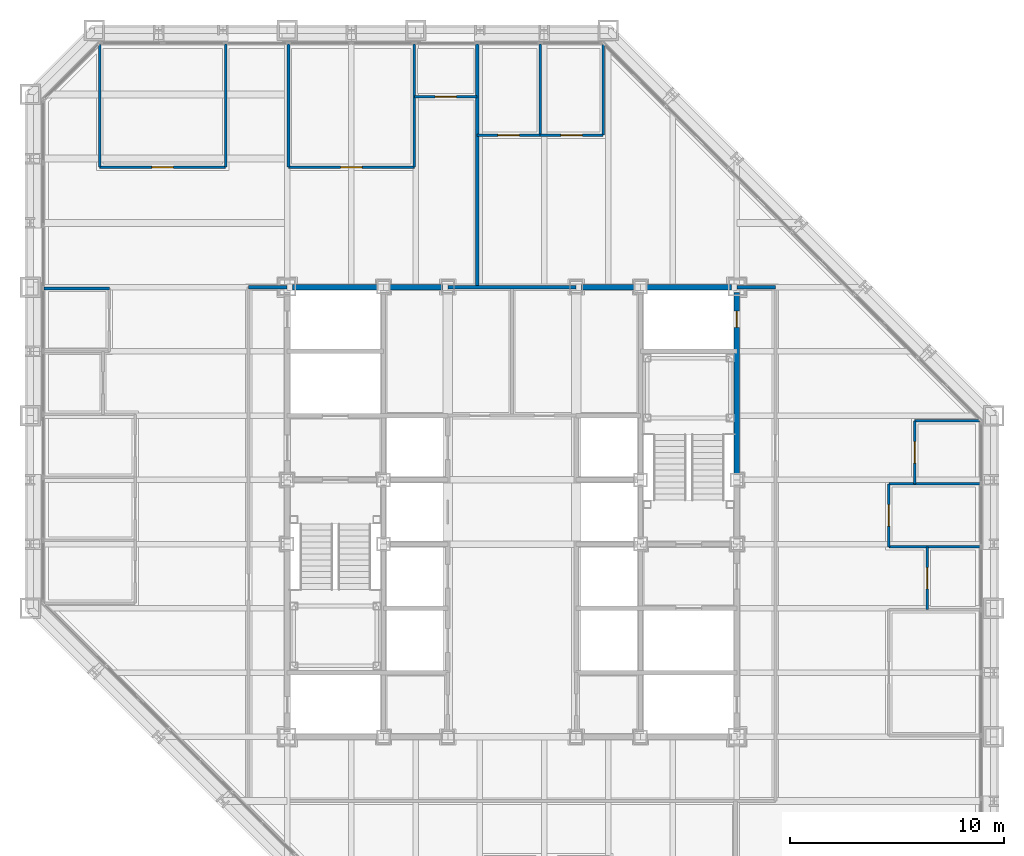
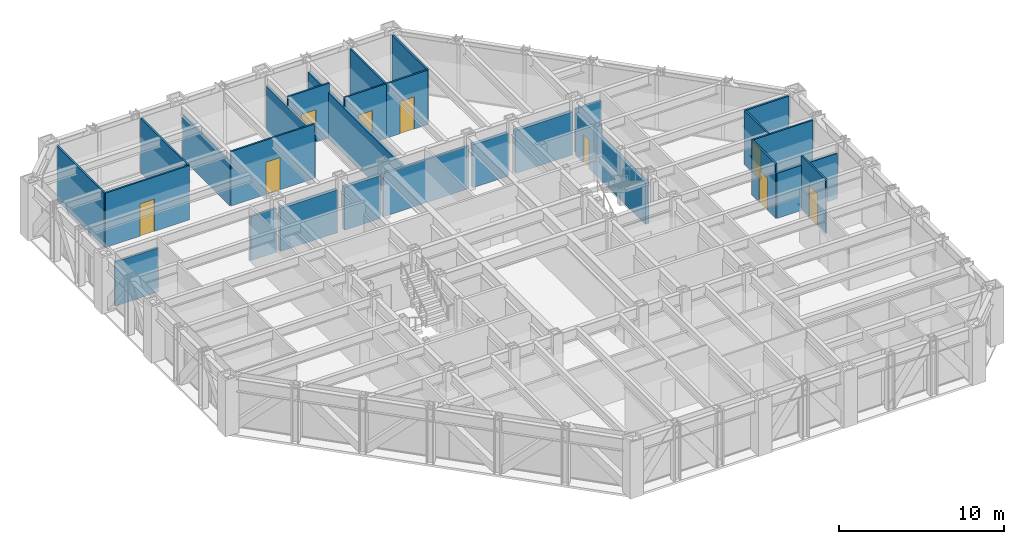
# One storey, part 12 of 16: 27 walls, 9 doors, 9 openings.
"""IFC4 building model written with IfcOpenShell, lengths in metres."""

from ifc_helpers import new_model, si_unit, direction, frame, frame_2d, origin, place, context, subcontext, project, spatial, rectangle, extrude, material, layer, layer_set, type_object, element, fill, save


model = new_model("IFC4")

# Units and contexts
model_context = context("Model", 3, precision=1e-05, world=origin(), true_north=direction((0.0, 1.0)))
body_context = subcontext(model_context, "Body", "Model", "MODEL_VIEW")
ifc_project = project(units=[si_unit("LENGTHUNIT", "METRE"), si_unit("AREAUNIT", "SQUARE_METRE"), si_unit("VOLUMEUNIT", "CUBIC_METRE"), si_unit("PLANEANGLEUNIT", "RADIAN"), si_unit("MASSUNIT", "GRAM", prefix="KILO")], contexts=[model_context])

# Site, building, storey
site_placement = place(None, origin())
site = spatial("IfcSite", under=ifc_project, at=site_placement, CompositionType="ELEMENT")
building_placement = place(site_placement, origin())
building = spatial("IfcBuilding", under=site, at=building_placement, Name="Chuquiago Exchange Tower", CompositionType="ELEMENT")
storey_placement = place(building_placement, frame((0.0, 0.0, 161.39990234375)))
storey = spatial("IfcBuildingStorey", under=building, at=storey_placement, Name="L35", CompositionType="ELEMENT", Elevation=161.39990234375)

# Walls
ifc_material_1 = material(Name="Concrete masonry, fully grouted", Category="masonry")
ifc_layer_1 = layer(ifc_material_1, 0.25)
ifc_layer_set_1 = layer_set([ifc_layer_1], Name="W1 core wall 250")
wall_type_1 = type_object("IfcWallType", Name="W1 core wall 250", PredefinedType="SOLIDWALL", material=ifc_layer_set_1)
wall_1_placement = place(storey_placement, frame((12.25, 33.0, 0.0), z_axis=(0.0, 0.0, 1.0), x_axis=(1.0, 0.0, 0.0)))
element("IfcWall", 1, at=wall_1_placement, inside=storey, type_object=wall_type_1, Name="CW-L35-11-0", PredefinedType="SOLIDWALL", context=body_context, shape_type="SweptSolid", body=[
    extrude(rectangle(XDim=4.0, YDim=0.25, at=frame_2d((2.0, 0.0))), origin(), (0.0, 0.0, 1.0), 3.181640625),
])
for number, where, z_axis, x_axis, name in (
    (2, (16.75, 33.0, 0.0), (0.0, 0.0, 1.0), (1.0, 0.0, 0.0), "CW-L35-11-1"),
    (3, (25.75, 33.0, 0.0), (0.0, 0.0, 1.0), (1.0, 0.0, 0.0), "CW-L35-12-0"),
):
    element("IfcWall", number, at=place(storey_placement, frame(where, z_axis=z_axis, x_axis=x_axis)), inside=storey, type_object=wall_type_1, Name=name, PredefinedType="SOLIDWALL", context=body_context, shape_type="SweptSolid", body=[
        extrude(rectangle(XDim=2.5, YDim=0.25, at=frame_2d((1.25, 0.0))), origin(), (0.0, 0.0, 1.0), 3.181640625),
    ])
wall_2_placement = place(storey_placement, frame((28.75, 33.0, 0.0), z_axis=(0.0, 0.0, 1.0), x_axis=(1.0, 0.0, 0.0)))
element("IfcWall", 4, at=wall_2_placement, inside=storey, type_object=wall_type_1, Name="CW-L35-12-1", PredefinedType="SOLIDWALL", context=body_context, shape_type="SweptSolid", body=[
    extrude(rectangle(XDim=4.0, YDim=0.25, at=frame_2d((2.0, 0.0))), origin(), (0.0, 0.0, 1.0), 3.181640625),
])

# Wall, opening, door
wall_3_placement = place(storey_placement, frame((33.0, 24.25, 0.0), z_axis=(0.0, 0.0, 1.0), x_axis=(0.0, 1.0, 0.0)))
wall_3 = element("IfcWall", 5, at=wall_3_placement, inside=storey, type_object=wall_type_1, Name="CW-L35-25-2", PredefinedType="SOLIDWALL", context=body_context, shape_type="SweptSolid", body=[
    extrude(rectangle(XDim=8.5, YDim=0.25, at=frame_2d((4.25, 0.0))), origin(), (0.0, 0.0, 1.0), 3.113037109375),
])
opening_1_placement = place(wall_3_placement, frame((6.875, 0.0, 0.0)))
opening_1 = element("IfcOpeningElement", 6, at=opening_1_placement, cuts=wall_3, Name="Opening L35-010", PredefinedType="OPENING", context=body_context, shape_type="SweptSolid", body=[
    extrude(rectangle(XDim=0.75, YDim=2.10009765625, at=frame_2d((0.375, 1.050048828125))), frame((0.0, 0.135009765625, 0.0), z_axis=(0.0, -1.0, 0.0), x_axis=(1.0, 0.0, 0.0)), (0.0, 0.0, 1.0), 0.27001953125),
])
ifc_material_2 = material(Name="Steel door, painted", Category="steel")
door_type_1 = type_object("IfcDoorType", Name="D6 riser access door 750x2100", OperationType="SINGLE_SWING_LEFT", PredefinedType="DOOR", material=ifc_material_2)
door_1_placement = place(opening_1_placement, origin())
door_1 = element("IfcDoor", 7, at=door_1_placement, inside=storey, type_object=door_type_1, Name="Riser RE2 door", OperationType="SINGLE_SWING_RIGHT", OverallHeight=2.10009765625, OverallWidth=0.75, PredefinedType="DOOR", context=body_context, shape_type="SweptSolid", body=[
    extrude(rectangle(XDim=0.75, YDim=2.10009765625, at=frame_2d((0.375, 1.050048828125))), frame((0.0, 0.02490234375, 0.0), z_axis=(0.0, -1.0, 0.0), x_axis=(1.0, 0.0, 0.0)), (0.0, 0.0, 1.0), 0.050048828125),
])
fill(opening_1, door_1)

# Walls
ifc_material_3 = material(Name="Gypsum board on steel studs, acoustic insulation", Category="steel")
ifc_layer_2 = layer(ifc_material_3, 0.14990234375)
ifc_layer_set_2 = layer_set([ifc_layer_2], Name="W11 corridor wall 150")
wall_type_2 = type_object("IfcWallType", Name="W11 corridor wall 150", PredefinedType="PARTITIONING", material=ifc_layer_set_2)
for number, where, z_axis, x_axis, name in (
    (8, (10.199951171875, 33.0, 0.0), (0.0, 0.0, 1.0), (1.0, 0.0, 0.0), "PW-L35-CWN"),
    (9, (33.0, 33.0, 0.0), (0.0, 0.0, 1.0), (1.0, 0.0, 0.0), "PW-L35-CEN"),
):
    element("IfcWall", number, at=place(storey_placement, frame(where, z_axis=z_axis, x_axis=x_axis)), inside=storey, type_object=wall_type_2, Name=name, PredefinedType="PARTITIONING", context=body_context, shape_type="SweptSolid", body=[
        extrude(rectangle(XDim=1.800048828125, YDim=0.14990234375, at=frame_2d((0.89990234375, 0.0))), origin(), (0.0, 0.0, 1.0), 3.2705078125),
    ])
ifc_material_4 = material(Name="Gypsum board on twin steel studs, acoustic insulation", Category="steel")
ifc_layer_3 = layer(ifc_material_4, 0.175048828125)
ifc_layer_set_3 = layer_set([ifc_layer_3], Name="W12 tenant demising wall 175")
wall_type_3 = type_object("IfcWallType", Name="W12 tenant demising wall 175", PredefinedType="PARTITIONING", material=ifc_layer_set_3)
wall_4_placement = place(storey_placement, frame((20.875732421875, 44.347412109375, 0.0), z_axis=(0.0, 0.0, 1.0), x_axis=(0.0, -1.0, 0.0)))
element("IfcWall", 10, at=wall_4_placement, inside=storey, type_object=wall_type_3, Name="PW-L35-DN02088", PredefinedType="PARTITIONING", context=body_context, shape_type="SweptSolid", body=[
    extrude(rectangle(XDim=11.347412109375, YDim=0.175048828125, at=frame_2d((5.673828125, 0.0))), origin(), (0.0, 0.0, 1.0), 3.35693359375),
])
ifc_material_5 = material(Name="Gypsum board on steel studs", Category="steel")
ifc_layer_4 = layer(ifc_material_5, 0.14990234375)
ifc_layer_set_4 = layer_set([ifc_layer_4], Name="W3 core partition 150")
wall_type_4 = type_object("IfcWallType", Name="W3 core partition 150", PredefinedType="PARTITIONING", material=ifc_layer_set_4)
wall_5_placement = place(storey_placement, frame((19.5, 33.0, 0.0), z_axis=(0.0, 0.0, 1.0), x_axis=(1.0, 0.0, 0.0)))
element("IfcWall", 11, at=wall_5_placement, inside=storey, type_object=wall_type_4, Name="CW-L35-TB", PredefinedType="PARTITIONING", context=body_context, shape_type="SweptSolid", body=[
    extrude(rectangle(XDim=6.0, YDim=0.14990234375, at=frame_2d((3.0, 0.0))), origin(), (0.0, 0.0, 1.0), 3.181640625),
])
ifc_material_6 = material(Name="Gypsum board on steel studs", Category="steel")
ifc_layer_5 = layer(ifc_material_6, 0.1201171875)
ifc_layer_set_5 = layer_set([ifc_layer_5], Name="W4 partition 120")
wall_type_5 = type_object("IfcWallType", Name="W4 partition 120", PredefinedType="PARTITIONING", material=ifc_layer_set_5)
wall_6_placement = place(storey_placement, frame((44.347412109375, 20.875732421875, 0.0), z_axis=(0.0, 0.0, 1.0), x_axis=(-1.0, 0.0, 0.0)))
element("IfcWall", 12, at=wall_6_placement, inside=storey, type_object=wall_type_5, Name="PW-L35-E02088", PredefinedType="PARTITIONING", context=body_context, shape_type="SweptSolid", body=[
    extrude(rectangle(XDim=4.247314453125, YDim=0.1201171875, at=frame_2d((2.12353515625, 0.0))), origin(), (0.0, 0.0, 1.0), 3.35693359375),
])
wall_7_placement = place(storey_placement, frame((44.347412109375, 23.813720703125, 0.0), z_axis=(0.0, 0.0, 1.0), x_axis=(-1.0, 0.0, 0.0)))
element("IfcWall", 13, at=wall_7_placement, inside=storey, type_object=wall_type_5, Name="PW-L35-E02381", PredefinedType="PARTITIONING", context=body_context, shape_type="SweptSolid", body=[
    extrude(rectangle(XDim=4.247314453125, YDim=0.1201171875, at=frame_2d((2.12353515625, 0.0))), origin(), (0.0, 0.0, 1.0), 4.0400390625),
])
wall_8_placement = place(storey_placement, frame((44.333984375, 26.75146484375, 0.0), z_axis=(0.0, 0.0, 1.0), x_axis=(-1.0, 0.0, 0.0)))
element("IfcWall", 14, at=wall_8_placement, inside=storey, type_object=wall_type_5, Name="PW-L35-E02675", PredefinedType="PARTITIONING", context=body_context, shape_type="SweptSolid", body=[
    extrude(rectangle(XDim=3.033935546875, YDim=0.1201171875, at=frame_2d((1.51708984375, 0.0))), origin(), (0.0, 0.0, 1.0), 4.0400390625),
])

# Wall, opening, door
wall_9_placement = place(storey_placement, frame((41.89990234375, 17.93798828125, 0.0), z_axis=(0.0, 0.0, 1.0), x_axis=(0.0, 1.0, 0.0)))
wall_9 = element("IfcWall", 15, at=wall_9_placement, inside=storey, type_object=wall_type_5, Name="PW-L35-EF01794", PredefinedType="PARTITIONING", context=body_context, shape_type="SweptSolid", body=[
    extrude(rectangle(XDim=2.937744140625, YDim=0.1201171875, at=frame_2d((1.46875, 0.0))), origin(), (0.0, 0.0, 1.0), 4.0400390625),
])
opening_2_placement = place(wall_9_placement, frame((0.968994140625, 0.0, 0.0)))
opening_2 = element("IfcOpeningElement", 16, at=opening_2_placement, cuts=wall_9, Name="Opening L35-027", PredefinedType="OPENING", context=body_context, shape_type="SweptSolid", body=[
    extrude(rectangle(XDim=1.0, YDim=2.39990234375, at=frame_2d((0.5, 1.199951171875))), frame((0.0, 0.070068359375, 0.0), z_axis=(0.0, -1.0, 0.0), x_axis=(1.0, 0.0, 0.0)), (0.0, 0.0, 1.0), 0.14013671875),
])
ifc_material_7 = material(Name="Timber frame door, full height glazed panel", Category="wood")
door_type_2 = type_object("IfcDoorType", Name="D14 glazed meeting room door 1000x2400", OperationType="SINGLE_SWING_LEFT", PredefinedType="DOOR", material=ifc_material_7)
door_2_placement = place(opening_2_placement, frame((1.0, 0.0, 0.0), z_axis=(0.0, 0.0, 1.0), x_axis=(-1.0, 0.0, 0.0)))
door_2 = element("IfcDoor", 17, at=door_2_placement, inside=storey, type_object=door_type_2, Name="Focus room door", OperationType="SINGLE_SWING_LEFT", OverallHeight=2.39990234375, OverallWidth=1.0, PredefinedType="DOOR", context=body_context, shape_type="SweptSolid", body=[
    extrude(rectangle(XDim=1.0, YDim=2.39990234375, at=frame_2d((0.5, 1.199951171875))), frame((0.0, 0.02490234375, 0.0), z_axis=(0.0, -1.0, 0.0), x_axis=(1.0, 0.0, 0.0)), (0.0, 0.0, 1.0), 0.050048828125),
])
fill(opening_2, door_2)

wall_10_placement = place(storey_placement, frame((40.10009765625, 20.875732421875, 0.0), z_axis=(0.0, 0.0, 1.0), x_axis=(0.0, 1.0, 0.0)))
wall_10 = element("IfcWall", 18, at=wall_10_placement, inside=storey, type_object=wall_type_5, Name="PW-L35-EF02088", PredefinedType="PARTITIONING", context=body_context, shape_type="SweptSolid", body=[
    extrude(rectangle(XDim=2.93798828125, YDim=0.1201171875, at=frame_2d((1.468994140625, 0.0))), origin(), (0.0, 0.0, 1.0), 4.0400390625),
])
opening_3_placement = place(wall_10_placement, frame((0.968994140625, 0.0, 0.0)))
opening_3 = element("IfcOpeningElement", 19, at=opening_3_placement, cuts=wall_10, Name="Opening L35-028", PredefinedType="OPENING", context=body_context, shape_type="SweptSolid", body=[
    extrude(rectangle(XDim=1.0, YDim=2.39990234375, at=frame_2d((0.5, 1.199951171875))), frame((0.0, 0.070068359375, 0.0), z_axis=(0.0, -1.0, 0.0), x_axis=(1.0, 0.0, 0.0)), (0.0, 0.0, 1.0), 0.14013671875),
])
ifc_material_8 = material(Name="Timber door, laminate faced", Category="wood")
door_type_3 = type_object("IfcDoorType", Name="D9 room door 1000x2400", OperationType="SINGLE_SWING_LEFT", PredefinedType="DOOR", material=ifc_material_8)
door_3_placement = place(opening_3_placement, frame((1.0, 0.0, 0.0), z_axis=(0.0, 0.0, 1.0), x_axis=(-1.0, 0.0, 0.0)))
door_3 = element("IfcDoor", 20, at=door_3_placement, inside=storey, type_object=door_type_3, Name="Office door", OperationType="SINGLE_SWING_LEFT", OverallHeight=2.39990234375, OverallWidth=1.0, PredefinedType="DOOR", context=body_context, shape_type="SweptSolid", body=[
    extrude(rectangle(XDim=1.0, YDim=2.39990234375, at=frame_2d((0.5, 1.199951171875))), frame((0.0, 0.02490234375, 0.0), z_axis=(0.0, -1.0, 0.0), x_axis=(1.0, 0.0, 0.0)), (0.0, 0.0, 1.0), 0.050048828125),
])
fill(opening_3, door_3)

wall_11_placement = place(storey_placement, frame((41.300048828125, 23.813720703125, 0.0), z_axis=(0.0, 0.0, 1.0), x_axis=(0.0, 1.0, 0.0)))
wall_11 = element("IfcWall", 21, at=wall_11_placement, inside=storey, type_object=wall_type_5, Name="PW-L35-EF02381", PredefinedType="PARTITIONING", context=body_context, shape_type="SweptSolid", body=[
    extrude(rectangle(XDim=2.937744140625, YDim=0.1201171875, at=frame_2d((1.46875, 0.0))), origin(), (0.0, 0.0, 1.0), 4.0400390625),
])
opening_4_placement = place(wall_11_placement, frame((0.968994140625, 0.0, 0.0)))
opening_4 = element("IfcOpeningElement", 22, at=opening_4_placement, cuts=wall_11, Name="Opening L35-029", PredefinedType="OPENING", context=body_context, shape_type="SweptSolid", body=[
    extrude(rectangle(XDim=1.0, YDim=2.39990234375, at=frame_2d((0.5, 1.199951171875))), frame((0.0, 0.070068359375, 0.0), z_axis=(0.0, -1.0, 0.0), x_axis=(1.0, 0.0, 0.0)), (0.0, 0.0, 1.0), 0.14013671875),
])
door_4_placement = place(opening_4_placement, frame((1.0, 0.0, 0.0), z_axis=(0.0, 0.0, 1.0), x_axis=(-1.0, 0.0, 0.0)))
door_4 = element("IfcDoor", 23, at=door_4_placement, inside=storey, type_object=door_type_3, Name="Pantry door", OperationType="SINGLE_SWING_RIGHT", OverallHeight=2.39990234375, OverallWidth=1.0, PredefinedType="DOOR", context=body_context, shape_type="SweptSolid", body=[
    extrude(rectangle(XDim=1.0, YDim=2.39990234375, at=frame_2d((0.5, 1.199951171875))), frame((0.0, 0.02490234375, 0.0), z_axis=(0.0, -1.0, 0.0), x_axis=(1.0, 0.0, 0.0)), (0.0, 0.0, 1.0), 0.050048828125),
])
fill(opening_4, door_4)

# Walls
wall_12_placement = place(storey_placement, frame((3.24853515625, 44.333984375, 0.0), z_axis=(0.0, 0.0, 1.0), x_axis=(0.0, -1.0, 0.0)))
element("IfcWall", 24, at=wall_12_placement, inside=storey, type_object=wall_type_5, Name="PW-L35-N00325", PredefinedType="PARTITIONING", context=body_context, shape_type="SweptSolid", body=[
    extrude(rectangle(XDim=5.73388671875, YDim=0.1201171875, at=frame_2d((2.866943359375, 0.0))), origin(), (0.0, 0.0, 1.0), 4.0400390625),
])
wall_13_placement = place(storey_placement, frame((9.124267578125, 44.347412109375, 0.0), z_axis=(0.0, 0.0, 1.0), x_axis=(0.0, -1.0, 0.0)))
element("IfcWall", 25, at=wall_13_placement, inside=storey, type_object=wall_type_5, Name="PW-L35-N00912", PredefinedType="PARTITIONING", context=body_context, shape_type="SweptSolid", body=[
    extrude(rectangle(XDim=5.747314453125, YDim=0.1201171875, at=frame_2d((2.87353515625, 0.0))), origin(), (0.0, 0.0, 1.0), 4.0400390625),
])
wall_14_placement = place(storey_placement, frame((12.06201171875, 44.347412109375, 0.0), z_axis=(0.0, 0.0, 1.0), x_axis=(0.0, -1.0, 0.0)))
element("IfcWall", 26, at=wall_14_placement, inside=storey, type_object=wall_type_5, Name="PW-L35-N01206", PredefinedType="PARTITIONING", context=body_context, shape_type="SweptSolid", body=[
    extrude(rectangle(XDim=5.747314453125, YDim=0.1201171875, at=frame_2d((2.87353515625, 0.0))), origin(), (0.0, 0.0, 1.0), 3.2705078125),
])
wall_15_placement = place(storey_placement, frame((17.93798828125, 44.347412109375, 0.0), z_axis=(0.0, 0.0, 1.0), x_axis=(0.0, -1.0, 0.0)))
element("IfcWall", 27, at=wall_15_placement, inside=storey, type_object=wall_type_5, Name="PW-L35-N01794", PredefinedType="PARTITIONING", context=body_context, shape_type="SweptSolid", body=[
    extrude(rectangle(XDim=5.747314453125, YDim=0.1201171875, at=frame_2d((2.87353515625, 0.0))), origin(), (0.0, 0.0, 1.0), 3.35693359375),
])
wall_16_placement = place(storey_placement, frame((23.813720703125, 44.347412109375, 0.0), z_axis=(0.0, 0.0, 1.0), x_axis=(0.0, -1.0, 0.0)))
element("IfcWall", 28, at=wall_16_placement, inside=storey, type_object=wall_type_5, Name="PW-L35-N02381", PredefinedType="PARTITIONING", context=body_context, shape_type="SweptSolid", body=[
    extrude(rectangle(XDim=4.247314453125, YDim=0.1201171875, at=frame_2d((2.12353515625, 0.0))), origin(), (0.0, 0.0, 1.0), 4.0400390625),
])
wall_17_placement = place(storey_placement, frame((26.75146484375, 44.333984375, 0.0), z_axis=(0.0, 0.0, 1.0), x_axis=(0.0, -1.0, 0.0)))
element("IfcWall", 29, at=wall_17_placement, inside=storey, type_object=wall_type_5, Name="PW-L35-N02675", PredefinedType="PARTITIONING", context=body_context, shape_type="SweptSolid", body=[
    extrude(rectangle(XDim=4.23388671875, YDim=0.1201171875, at=frame_2d((2.116943359375, 0.0))), origin(), (0.0, 0.0, 1.0), 4.0400390625),
])

# Wall, opening, door
wall_18_placement = place(storey_placement, frame((3.24853515625, 38.60009765625, 0.0), z_axis=(0.0, 0.0, 1.0), x_axis=(1.0, 0.0, 0.0)))
wall_18 = element("IfcWall", 30, at=wall_18_placement, inside=storey, type_object=wall_type_5, Name="PW-L35-NF00325", PredefinedType="PARTITIONING", context=body_context, shape_type="SweptSolid", body=[
    extrude(rectangle(XDim=5.875732421875, YDim=0.1201171875, at=frame_2d((2.93798828125, 0.0))), origin(), (0.0, 0.0, 1.0), 4.0400390625),
])
opening_5_placement = place(wall_18_placement, frame((2.43798828125, 0.0, 0.0)))
opening_5 = element("IfcOpeningElement", 31, at=opening_5_placement, cuts=wall_18, Name="Opening L35-030", PredefinedType="OPENING", context=body_context, shape_type="SweptSolid", body=[
    extrude(rectangle(XDim=1.0, YDim=2.39990234375, at=frame_2d((0.5, 1.199951171875))), frame((0.0, 0.070068359375, 0.0), z_axis=(0.0, -1.0, 0.0), x_axis=(1.0, 0.0, 0.0)), (0.0, 0.0, 1.0), 0.14013671875),
])
door_5_placement = place(opening_5_placement, origin())
door_5 = element("IfcDoor", 32, at=door_5_placement, inside=storey, type_object=door_type_3, Name="Research office door", OperationType="SINGLE_SWING_LEFT", OverallHeight=2.39990234375, OverallWidth=1.0, PredefinedType="DOOR", context=body_context, shape_type="SweptSolid", body=[
    extrude(rectangle(XDim=1.0, YDim=2.39990234375, at=frame_2d((0.5, 1.199951171875))), frame((0.0, 0.02490234375, 0.0), z_axis=(0.0, -1.0, 0.0), x_axis=(1.0, 0.0, 0.0)), (0.0, 0.0, 1.0), 0.050048828125),
])
fill(opening_5, door_5)

wall_19_placement = place(storey_placement, frame((12.06201171875, 38.60009765625, 0.0), z_axis=(0.0, 0.0, 1.0), x_axis=(1.0, 0.0, 0.0)))
wall_19 = element("IfcWall", 33, at=wall_19_placement, inside=storey, type_object=wall_type_5, Name="PW-L35-NF01206", PredefinedType="PARTITIONING", context=body_context, shape_type="SweptSolid", body=[
    extrude(rectangle(XDim=5.8759765625, YDim=0.1201171875, at=frame_2d((2.93798828125, 0.0))), origin(), (0.0, 0.0, 1.0), 4.0400390625),
])
opening_6_placement = place(wall_19_placement, frame((2.43798828125, 0.0, 0.0)))
opening_6 = element("IfcOpeningElement", 34, at=opening_6_placement, cuts=wall_19, Name="Opening L35-031", PredefinedType="OPENING", context=body_context, shape_type="SweptSolid", body=[
    extrude(rectangle(XDim=1.0, YDim=2.39990234375, at=frame_2d((0.5, 1.199951171875))), frame((0.0, 0.070068359375, 0.0), z_axis=(0.0, -1.0, 0.0), x_axis=(1.0, 0.0, 0.0)), (0.0, 0.0, 1.0), 0.14013671875),
])
door_6_placement = place(opening_6_placement, origin())
door_6 = element("IfcDoor", 35, at=door_6_placement, inside=storey, type_object=door_type_3, Name="Research office door", OperationType="SINGLE_SWING_LEFT", OverallHeight=2.39990234375, OverallWidth=1.0, PredefinedType="DOOR", context=body_context, shape_type="SweptSolid", body=[
    extrude(rectangle(XDim=1.0, YDim=2.39990234375, at=frame_2d((0.5, 1.199951171875))), frame((0.0, 0.02490234375, 0.0), z_axis=(0.0, -1.0, 0.0), x_axis=(1.0, 0.0, 0.0)), (0.0, 0.0, 1.0), 0.050048828125),
])
fill(opening_6, door_6)

wall_20_placement = place(storey_placement, frame((17.93798828125, 41.89990234375, 0.0), z_axis=(0.0, 0.0, 1.0), x_axis=(1.0, 0.0, 0.0)))
wall_20 = element("IfcWall", 36, at=wall_20_placement, inside=storey, type_object=wall_type_5, Name="PW-L35-NF01794", PredefinedType="PARTITIONING", context=body_context, shape_type="SweptSolid", body=[
    extrude(rectangle(XDim=2.937744140625, YDim=0.1201171875, at=frame_2d((1.46875, 0.0))), origin(), (0.0, 0.0, 1.0), 4.0400390625),
])
opening_7_placement = place(wall_20_placement, frame((0.968994140625, 0.0, 0.0)))
opening_7 = element("IfcOpeningElement", 37, at=opening_7_placement, cuts=wall_20, Name="Opening L35-032", PredefinedType="OPENING", context=body_context, shape_type="SweptSolid", body=[
    extrude(rectangle(XDim=1.0, YDim=2.39990234375, at=frame_2d((0.5, 1.199951171875))), frame((0.0, 0.070068359375, 0.0), z_axis=(0.0, -1.0, 0.0), x_axis=(1.0, 0.0, 0.0)), (0.0, 0.0, 1.0), 0.14013671875),
])
door_7_placement = place(opening_7_placement, origin())
door_7 = element("IfcDoor", 38, at=door_7_placement, inside=storey, type_object=door_type_2, Name="Focus room door", OperationType="SINGLE_SWING_RIGHT", OverallHeight=2.39990234375, OverallWidth=1.0, PredefinedType="DOOR", context=body_context, shape_type="SweptSolid", body=[
    extrude(rectangle(XDim=1.0, YDim=2.39990234375, at=frame_2d((0.5, 1.199951171875))), frame((0.0, 0.02490234375, 0.0), z_axis=(0.0, -1.0, 0.0), x_axis=(1.0, 0.0, 0.0)), (0.0, 0.0, 1.0), 0.050048828125),
])
fill(opening_7, door_7)

wall_21_placement = place(storey_placement, frame((20.875732421875, 40.10009765625, 0.0), z_axis=(0.0, 0.0, 1.0), x_axis=(1.0, 0.0, 0.0)))
wall_21 = element("IfcWall", 39, at=wall_21_placement, inside=storey, type_object=wall_type_5, Name="PW-L35-NF02088", PredefinedType="PARTITIONING", context=body_context, shape_type="SweptSolid", body=[
    extrude(rectangle(XDim=2.93798828125, YDim=0.1201171875, at=frame_2d((1.468994140625, 0.0))), origin(), (0.0, 0.0, 1.0), 4.0400390625),
])
opening_8_placement = place(wall_21_placement, frame((0.968994140625, 0.0, 0.0)))
opening_8 = element("IfcOpeningElement", 40, at=opening_8_placement, cuts=wall_21, Name="Opening L35-033", PredefinedType="OPENING", context=body_context, shape_type="SweptSolid", body=[
    extrude(rectangle(XDim=1.0, YDim=2.39990234375, at=frame_2d((0.5, 1.199951171875))), frame((0.0, 0.070068359375, 0.0), z_axis=(0.0, -1.0, 0.0), x_axis=(1.0, 0.0, 0.0)), (0.0, 0.0, 1.0), 0.14013671875),
])
door_8_placement = place(opening_8_placement, origin())
door_8 = element("IfcDoor", 41, at=door_8_placement, inside=storey, type_object=door_type_3, Name="Office door", OperationType="SINGLE_SWING_LEFT", OverallHeight=2.39990234375, OverallWidth=1.0, PredefinedType="DOOR", context=body_context, shape_type="SweptSolid", body=[
    extrude(rectangle(XDim=1.0, YDim=2.39990234375, at=frame_2d((0.5, 1.199951171875))), frame((0.0, 0.02490234375, 0.0), z_axis=(0.0, -1.0, 0.0), x_axis=(1.0, 0.0, 0.0)), (0.0, 0.0, 1.0), 0.050048828125),
])
fill(opening_8, door_8)

wall_22_placement = place(storey_placement, frame((23.813720703125, 40.10009765625, 0.0), z_axis=(0.0, 0.0, 1.0), x_axis=(1.0, 0.0, 0.0)))
wall_22 = element("IfcWall", 42, at=wall_22_placement, inside=storey, type_object=wall_type_5, Name="PW-L35-NF02381", PredefinedType="PARTITIONING", context=body_context, shape_type="SweptSolid", body=[
    extrude(rectangle(XDim=2.937744140625, YDim=0.1201171875, at=frame_2d((1.46875, 0.0))), origin(), (0.0, 0.0, 1.0), 4.0400390625),
])
opening_9_placement = place(wall_22_placement, frame((0.968994140625, 0.0, 0.0)))
opening_9 = element("IfcOpeningElement", 43, at=opening_9_placement, cuts=wall_22, Name="Opening L35-034", PredefinedType="OPENING", context=body_context, shape_type="SweptSolid", body=[
    extrude(rectangle(XDim=1.0, YDim=2.39990234375, at=frame_2d((0.5, 1.199951171875))), frame((0.0, 0.070068359375, 0.0), z_axis=(0.0, -1.0, 0.0), x_axis=(1.0, 0.0, 0.0)), (0.0, 0.0, 1.0), 0.14013671875),
])
door_9_placement = place(opening_9_placement, origin())
door_9 = element("IfcDoor", 44, at=door_9_placement, inside=storey, type_object=door_type_3, Name="Office door", OperationType="SINGLE_SWING_LEFT", OverallHeight=2.39990234375, OverallWidth=1.0, PredefinedType="DOOR", context=body_context, shape_type="SweptSolid", body=[
    extrude(rectangle(XDim=1.0, YDim=2.39990234375, at=frame_2d((0.5, 1.199951171875))), frame((0.0, 0.02490234375, 0.0), z_axis=(0.0, -1.0, 0.0), x_axis=(1.0, 0.0, 0.0)), (0.0, 0.0, 1.0), 0.050048828125),
])
fill(opening_9, door_9)

# Wall
wall_23_placement = place(storey_placement, frame((0.652587890625, 32.93798828125, 0.0), z_axis=(0.0, 0.0, 1.0), x_axis=(1.0, 0.0, 0.0)))
element("IfcWall", 45, at=wall_23_placement, inside=storey, type_object=wall_type_5, Name="PW-L35-W03294", PredefinedType="PARTITIONING", context=body_context, shape_type="SweptSolid", body=[
    extrude(rectangle(XDim=3.04736328125, YDim=0.1201171875, at=frame_2d((1.523681640625, 0.0))), origin(), (0.0, 0.0, 1.0), 3.2705078125),
])

save(model, "model.ifc")
